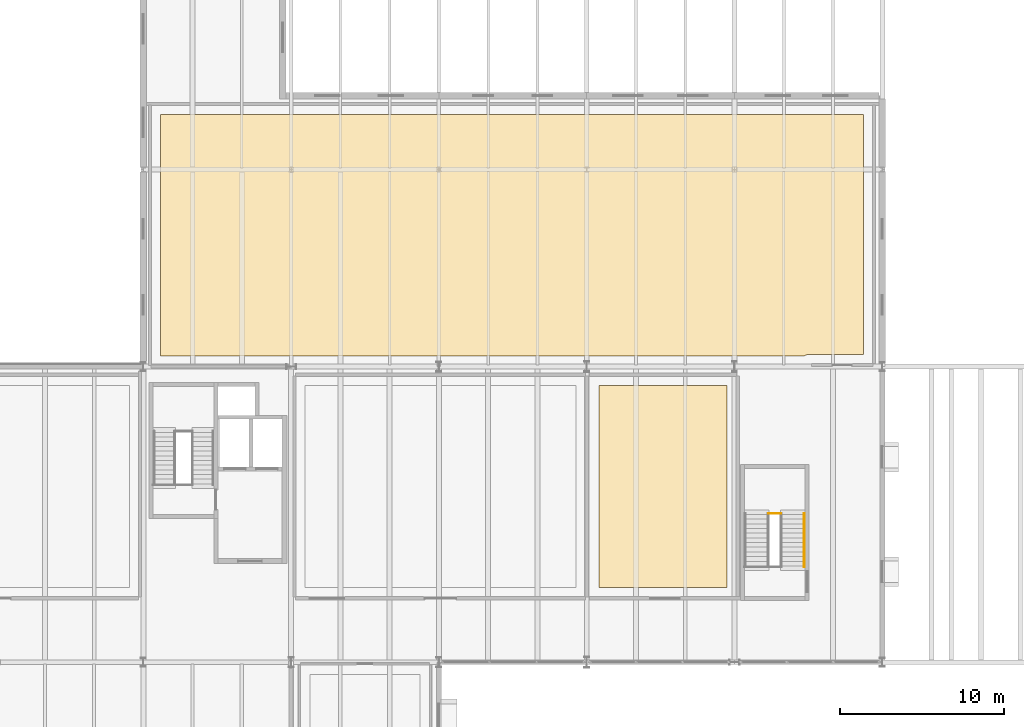
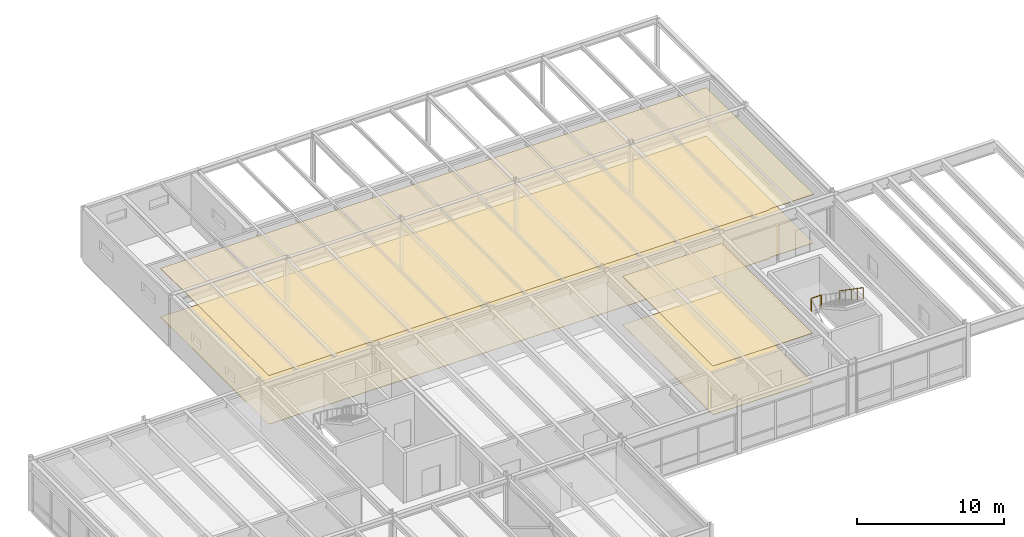
# One storey, part 127 of 127: 4 coverings, 2 railings.
"""IFC4 building model written with IfcOpenShell, lengths in metres."""

from ifc_helpers import new_model, si_unit, direction, frame, origin, origin_2d, place, context, subcontext, project, spatial, polyline, circle, outline, extrude, material, layer, layer_set, type_object, element, save


model = new_model("IFC4")

# Units and contexts
model_context = context("Model", 3, precision=1e-05, world=origin(), true_north=direction((0.0, 1.0)))
body_context = subcontext(model_context, "Body", "Model", "MODEL_VIEW")
ifc_project = project(units=[si_unit("LENGTHUNIT", "METRE"), si_unit("AREAUNIT", "SQUARE_METRE"), si_unit("VOLUMEUNIT", "CUBIC_METRE"), si_unit("PLANEANGLEUNIT", "RADIAN"), si_unit("MASSUNIT", "GRAM", prefix="KILO")], contexts=[model_context])

# Site, building, storey
site_placement = place(None, origin())
site = spatial("IfcSite", under=ifc_project, at=site_placement, CompositionType="ELEMENT")
building_placement = place(site_placement, origin())
building = spatial("IfcBuilding", under=site, at=building_placement, Name="Montelvaro Courts of Justice", CompositionType="ELEMENT")
storey_placement = place(building_placement, frame((0.0, 0.0, 5.39990234375)))
storey = spatial("IfcBuildingStorey", under=building, at=storey_placement, Name="L01", CompositionType="ELEMENT", Elevation=5.39990234375)

# Coverings
ifc_material_1 = material(Name="Perforated acoustic gypsum ceiling")
ifc_layer_1 = layer(ifc_material_1, 0.0400390625)
ifc_layer_set_1 = layer_set([ifc_layer_1], Name="Perforated acoustic gypsum ceiling")
covering_type_1 = type_object("IfcCoveringType", Name="AcousticCeiling_Court", PredefinedType="CEILING", material=ifc_layer_set_1)
covering_1_placement = place(storey_placement, frame((0.0, 0.0, 4.02001953125)))
element("IfcCovering", 1, at=covering_1_placement, inside=storey, type_object=covering_type_1, Name="Acoustic Ceiling Panel AC-01 (L01-19)", PredefinedType="CEILING", context=body_context, shape_type="SweptSolid", body=[
    extrude(outline(polyline([(144.75, 94.85009765625), (152.550048828125, 94.85009765625), (152.550048828125, 82.550048828125), (144.75, 82.550048828125), (144.75, 94.85009765625)])), origin(), (0.0, 0.0, 1.0), 0.0400390625),
])
covering_2_placement = place(storey_placement, frame((0.0, 0.0, 4.02001953125)))
element("IfcCovering", 2, at=covering_2_placement, inside=storey, type_object=covering_type_1, Name="Acoustic Ceiling Panel AC-01 (L01-42)", PredefinedType="CEILING", context=body_context, shape_type="SweptSolid", body=[
    extrude(outline(polyline([(118.050048828125, 111.35009765625), (160.85009765625, 111.35009765625), (160.85009765625, 96.75), (157.590087890625, 96.75), (157.52587890625, 96.7470703125), (157.462890625, 96.737060546875), (157.452880859375, 96.735107421875), (157.43896484375, 96.73291015625), (157.429931640625, 96.73095703125), (157.366943359375, 96.712890625), (157.306884765625, 96.68994140625), (157.298095703125, 96.68603515625), (157.2890625, 96.681884765625), (157.237060546875, 96.656005859375), (157.22802734375, 96.65087890625), (157.22607421875, 96.64990234375), (118.050048828125, 96.64990234375), (118.050048828125, 111.35009765625)])), origin(), (0.0, 0.0, 1.0), 0.0400390625),
])

# Railing
ifc_material_2 = material(Name="Steel S355", Category="steel")
railing_type_1 = type_object("IfcRailingType", Name="InteriorGuard_1100", PredefinedType="BALUSTRADE", material=ifc_material_2)
railing_1_placement = place(storey_placement, frame((155.06005859375, 87.06494140625, 2.25)))
element("IfcRailing", 3, at=railing_1_placement, inside=storey, type_object=railing_type_1, Name="Stair Well Guard GR-02 ST-V2-L01-MLG", PredefinedType="BALUSTRADE", context=body_context, shape_type="SweptSolid", body=[
    extrude(circle(Radius=0.02392578125, at=origin_2d()), frame((0.0, 0.0, 1.076171875), z_axis=(1.0, 0.0, 0.0), x_axis=(0.0, 1.0, 0.0)), (0.0, 0.0, 1.0), 0.780029296875),
    extrude(circle(Radius=0.02099609375, at=origin_2d()), origin(), (0.0, 0.0, 1.0), 1.052001953125),
    extrude(circle(Radius=0.02099609375, at=origin_2d()), frame((0.780029296875, 0.0, 0.0)), (0.0, 0.0, 1.0), 1.052001953125),
])

# Coverings
ifc_material_3 = material(Name="Alicante limestone judicial flooring", Category="masonry")
ifc_layer_2 = layer(ifc_material_3, 0.030029296875)
ifc_layer_set_2 = layer_set([ifc_layer_2], Name="Alicante limestone judicial flooring")
covering_type_2 = type_object("IfcCoveringType", Name="JudicialStoneFlooring", PredefinedType="FLOORING", material=ifc_layer_set_2)
covering_3_placement = place(storey_placement, origin())
element("IfcCovering", 4, at=covering_3_placement, inside=storey, type_object=covering_type_2, Name="Judicial Stone Flooring FLR-01 (L01-19)", PredefinedType="FLOORING", context=body_context, shape_type="SweptSolid", body=[
    extrude(outline(polyline([(144.75, 94.85009765625), (152.550048828125, 94.85009765625), (152.550048828125, 82.550048828125), (144.75, 82.550048828125), (144.75, 94.85009765625)])), origin(), (0.0, 0.0, 1.0), 0.030029296875),
])
covering_4_placement = place(storey_placement, origin())
element("IfcCovering", 5, at=covering_4_placement, inside=storey, type_object=covering_type_2, Name="Judicial Stone Flooring FLR-01 (L01-42)", PredefinedType="FLOORING", context=body_context, shape_type="SweptSolid", body=[
    extrude(outline(polyline([(118.050048828125, 111.35009765625), (160.85009765625, 111.35009765625), (160.85009765625, 96.75), (157.590087890625, 96.75), (157.52587890625, 96.7470703125), (157.462890625, 96.737060546875), (157.452880859375, 96.735107421875), (157.43896484375, 96.73291015625), (157.429931640625, 96.73095703125), (157.366943359375, 96.712890625), (157.306884765625, 96.68994140625), (157.298095703125, 96.68603515625), (157.2890625, 96.681884765625), (157.237060546875, 96.656005859375), (157.22802734375, 96.65087890625), (157.22607421875, 96.64990234375), (118.050048828125, 96.64990234375), (118.050048828125, 111.35009765625)])), origin(), (0.0, 0.0, 1.0), 0.030029296875),
])

# Railing
ifc_material_4 = material(Name="Austenitic stainless steel EN 1.4401", Category="steel")
railing_type_2 = type_object("IfcRailingType", Name="StairHandrail_950", PredefinedType="HANDRAIL", material=ifc_material_4)
railing_2_placement = place(storey_placement, frame((157.239990234375, 87.06494140625, 2.25)))
element("IfcRailing", 6, at=railing_2_placement, inside=storey, type_object=railing_type_2, Name="Stair Pitch Handrail HR-01 ST-V2-L01-F2H", PredefinedType="HANDRAIL", context=body_context, shape_type="SweptSolid", body=[
    extrude(circle(Radius=0.02392578125, at=origin_2d()), frame((0.0, 0.0, 0.92578125), z_axis=(0.0, -0.823407228882, 0.567450910146), x_axis=(1.0, 0.0, 0.0)), (0.0, 0.0, 1.0), 3.965087890625),
    extrude(circle(Radius=0.02099609375, at=origin_2d()), origin(), (0.0, 0.0, 1.0), 0.90185546875),
    extrude(circle(Radius=0.02099609375, at=origin_2d()), frame((0.0, -0.816162109375, 0.5625)), (0.0, 0.0, 1.0), 0.90185546875),
    extrude(circle(Radius=0.02099609375, at=origin_2d()), frame((0.0, -1.63232421875, 1.125)), (0.0, 0.0, 1.0), 0.90185546875),
    extrude(circle(Radius=0.02099609375, at=origin_2d()), frame((0.0, -2.44873046875, 1.6875)), (0.0, 0.0, 1.0), 0.90185546875),
    extrude(circle(Radius=0.02099609375, at=origin_2d()), frame((0.0, -3.264892578125, 2.25)), (0.0, 0.0, 1.0), 0.90185546875),
])

save(model, "model.ifc")
